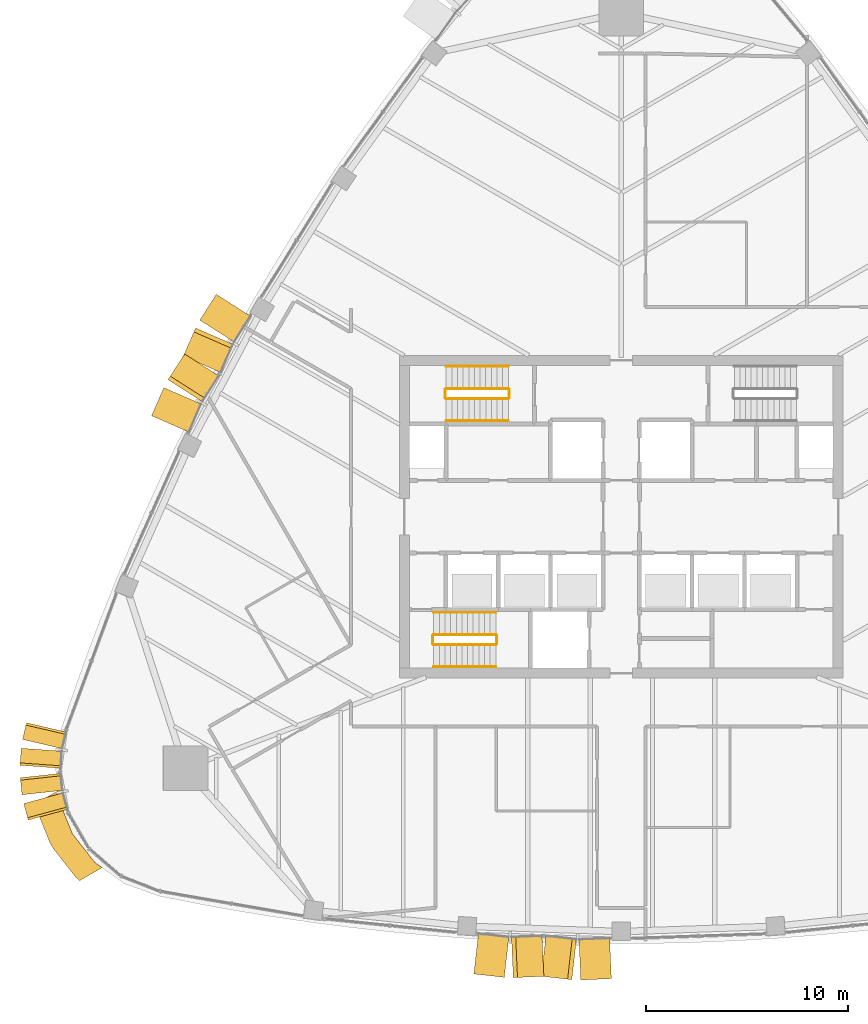
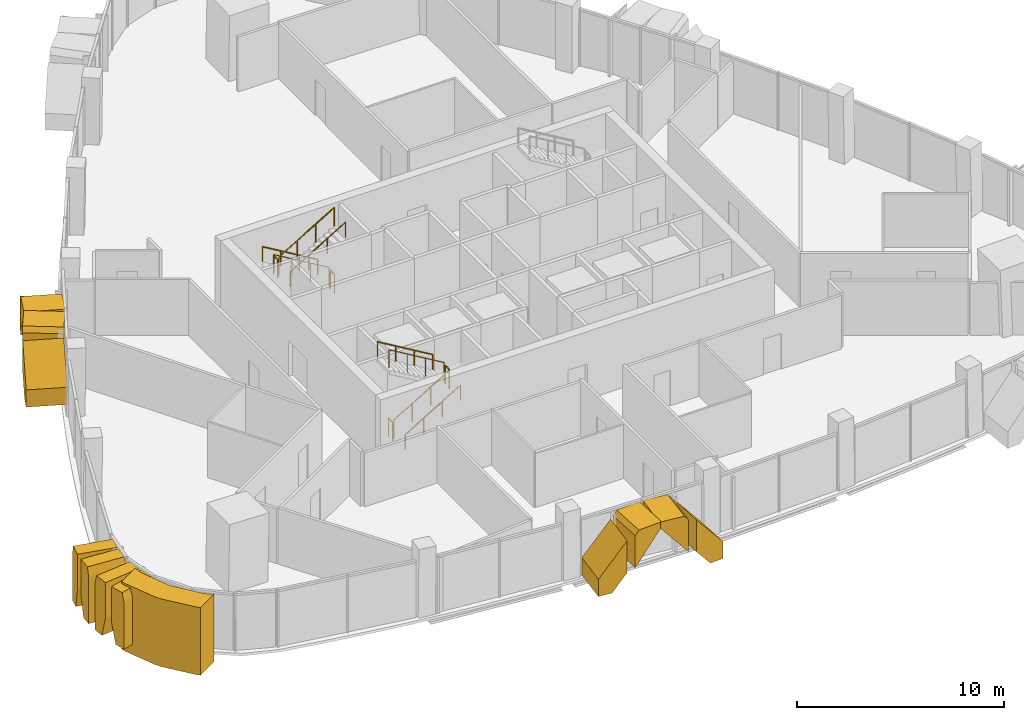
# One storey, part 15 of 18: 13 coverings, 12 railings.
"""IFC4 building model written with IfcOpenShell, lengths in metres."""

from ifc_helpers import new_model, si_unit, direction, frame, origin, origin_2d, place, context, subcontext, project, spatial, polyline, circle, outline, extrude, material, layer, layer_set, type_object, element, save


model = new_model("IFC4")

# Units and contexts
model_context = context("Model", 3, precision=1e-05, world=origin(), true_north=direction((0.0, 1.0)))
body_context = subcontext(model_context, "Body", "Model", "MODEL_VIEW")
ifc_project = project(units=[si_unit("LENGTHUNIT", "METRE"), si_unit("AREAUNIT", "SQUARE_METRE"), si_unit("VOLUMEUNIT", "CUBIC_METRE"), si_unit("PLANEANGLEUNIT", "RADIAN"), si_unit("MASSUNIT", "GRAM", prefix="KILO")], contexts=[model_context])

# Site, building, storey
site_placement = place(None, origin())
site = spatial("IfcSite", under=ifc_project, at=site_placement, CompositionType="ELEMENT")
building_placement = place(site_placement, origin())
building = spatial("IfcBuilding", under=site, at=building_placement, Name="Sierra Prisma Convention Tower", CompositionType="ELEMENT")
storey_placement = place(building_placement, frame((0.0, 0.0, 255.0)))
storey = spatial("IfcBuildingStorey", under=building, at=storey_placement, Name="L57", CompositionType="ELEMENT", Elevation=255.0)

# Coverings
ifc_material_1 = material(Name="Aluminium composite bronze anodised", Category="aluminium")
ifc_layer_1 = layer(ifc_material_1, 1.199951171875)
ifc_layer_set_1 = layer_set([ifc_layer_1], Name="Bronze corner pier")
covering_type_1 = type_object("IfcCoveringType", Name="Bronze corner pier", PredefinedType="CLADDING", material=ifc_layer_set_1)
covering_1_placement = place(storey_placement, frame((0.0, 0.0, -0.60009765625)))
element("IfcCovering", 1, at=covering_1_placement, inside=storey, type_object=covering_type_1, Name="Corner pier SW L57.1", PredefinedType="CLADDING", context=body_context, shape_type="SweptSolid", body=[
    extrude(outline(polyline([(-28.160400390625, -16.4521484375), (-28.328125, -16.16162109375), (-29.003662109375, -14.486328125), (-29.064697265625, -14.240234375), (-27.93701171875, -13.589111328125), (-27.890625, -14.03759765625), (-27.21533203125, -15.712646484375), (-26.102294921875, -17.13525390625), (-25.73681640625, -17.399658203125), (-26.86474609375, -18.05078125), (-27.04736328125, -17.874755859375), (-28.160400390625, -16.4521484375)])), origin(), (0.0, 0.0, 1.0), 4.0),
])
ifc_material_2 = material(Name="Aluminium 6063-T6 bronze anodised", Category="aluminium")
ifc_layer_2 = layer(ifc_material_2, 2.0)
ifc_layer_set_2 = layer_set([ifc_layer_2], Name="Bronze crystal chevron frame")
covering_type_2 = type_object("IfcCoveringType", Name="Bronze crystal chevron frame", PredefinedType="CLADDING", material=ifc_layer_set_2)
covering_2_placement = place(storey_placement, frame((-7.310791015625, -22.66796875, 0.0), z_axis=(-0.112614954956, -0.993638702623, 2.3851168e-05), x_axis=(0.993638702906, -0.112614954988, -2.306e-09)))
element("IfcCovering", 2, at=covering_2_placement, inside=storey, type_object=covering_type_2, Name="CW-2 chevron frame S3.1.1", PredefinedType="CLADDING", context=body_context, shape_type="SweptSolid", body=[
    extrude(outline(polyline([(0.0, 0.0), (0.7169710168899475, 0.0), (1.519919943945576, 0.9763183631581578), (1.5199199395885274, 2.865478518870807), (-2.3468827585304e-09, 1.017578124710561), (0.0, 0.0)])), origin(), (0.0, 0.0, -1.0), 2.0),
])
covering_3_placement = place(storey_placement, frame((-5.357421875, -22.854248046875, 3.023681640625), z_axis=(0.04433438649, -0.999016747251, -2.9773073e-05), x_axis=(-1.319971e-06, 2.9743799e-05, -0.999999999557)))
element("IfcCovering", 3, at=covering_3_placement, inside=storey, type_object=covering_type_2, Name="CW-2 chevron frame S3.1.2", PredefinedType="CLADDING", context=body_context, shape_type="SweptSolid", body=[
    extrude(outline(polyline([(0.0, 0.0), (1.8891601554126904, 0.0), (0.04125976537947717, 1.5200489407549946), (-0.2563476563636179, 1.5200489407549946), (-0.25634765830204714, 0.21089749998710103), (0.0, 0.0)])), origin(), (0.0, 0.0, -1.0), 2.0),
])
covering_4_placement = place(storey_placement, frame((-3.962890625, -22.78271484375, 3.280029296875), z_axis=(-0.112444570849, -0.993657998542, -2.0491706e-05), x_axis=(2.304181e-06, 2.0361747e-05, -0.99999999979)))
element("IfcCovering", 4, at=covering_4_placement, inside=storey, type_object=covering_type_2, Name="CW-2 chevron frame S3.2.1", PredefinedType="CLADDING", context=body_context, shape_type="SweptSolid", body=[
    extrude(outline(polyline([(0.0, 0.0), (0.29760742181251587, 1.260416458377676e-22), (2.1455078121571827, 1.5198924755573109), (0.2563476563038215, 1.5198924755573109), (-9.182455936022485e-10, 1.308842830952451), (0.0, 0.0)])), origin(), (0.0, 0.0, -1.0), 2.0),
])
covering_5_placement = place(storey_placement, frame((-0.490966796875, -22.9013671875, 0.0), z_axis=(0.044367000442, -0.999015298097, 5.864478e-05), x_axis=(-2.601893e-06, 5.8587033e-05, 0.99999999828)))
element("IfcCovering", 5, at=covering_5_placement, inside=storey, type_object=covering_type_2, Name="CW-2 chevron frame S3.2.2", PredefinedType="CLADDING", context=body_context, shape_type="SweptSolid", body=[
    extrude(outline(polyline([(0.0, 0.0), (1.0175781232501675, 0.0), (2.8654785140552725, 1.52004893969582), (0.976318361053882, 1.52004893969582), (-9.996884094873655e-09, 0.7170222086733208), (0.0, 0.0)])), origin(), (0.0, 0.0, -1.0), 2.0),
])
covering_6_placement = place(storey_placement, frame((-20.078857421875, 11.025390625, 0.0), z_axis=(-0.843051218652, 0.537833285246, 3.401081e-06), x_axis=(-0.537833285249, -0.843051218657, -4.7e-11)))
element("IfcCovering", 6, at=covering_6_placement, inside=storey, type_object=covering_type_2, Name="CW-2 chevron frame NW4.1.1", PredefinedType="CLADDING", context=body_context, shape_type="SweptSolid", body=[
    extrude(outline(polyline([(0.0, 0.0), (0.7167457332966538, 0.0), (1.519775057210827, 0.9763183594519409), (1.5197750571222046, 2.8654785156910147), (-4.773561108609133e-11, 1.0175781249941147), (0.0, 0.0)])), origin(), (0.0, 0.0, -1.0), 2.0),
])
covering_7_placement = place(storey_placement, frame((-21.104736328125, 9.352783203125, 3.023681640625), z_axis=(-0.916760330561, 0.399437725129, 7.231364e-06), x_axis=(-6.629428e-06, 2.88848e-06, -0.999999999974)))
element("IfcCovering", 7, at=covering_7_placement, inside=storey, type_object=covering_type_2, Name="CW-2 chevron frame NW4.1.2", PredefinedType="CLADDING", context=body_context, shape_type="SweptSolid", body=[
    extrude(outline(polyline([(0.0, 0.0), (1.8891601562006055, 8.00090447491916e-22), (0.04125976561051612, 1.5200853489756896), (-0.2563476562567026, 1.5200853489756896), (-0.2563476563710544, 0.21090825121994786), (0.0, 0.0)])), origin(), (0.0, 0.0, -1.0), 2.0),
])
covering_8_placement = place(storey_placement, frame((-21.653564453125, 8.06884765625, 3.280029296875), z_axis=(-0.843049035578, 0.537836705926, -3.7011033e-05), x_axis=(3.1202116e-05, -1.9905892e-05, -0.999999999315)))
element("IfcCovering", 8, at=covering_8_placement, inside=storey, type_object=covering_type_2, Name="CW-2 chevron frame NW4.2.1", PredefinedType="CLADDING", context=body_context, shape_type="SweptSolid", body=[
    extrude(outline(polyline([(0.0, 0.0), (0.2976074216711662, -1.0083331667021407e-21), (2.1455078113816732, 1.5197750572306397), (0.25634765642557467, 1.5197750572306397), (-2.9954704306634123e-09, 1.3090094493103113), (0.0, 0.0)])), origin(), (0.0, 0.0, -1.0), 2.0),
])
covering_9_placement = place(storey_placement, frame((-23.28662109375, 5.002685546875, 0.0), z_axis=(-0.916759383654, 0.399439898422, -5.589659e-06), x_axis=(-5.124372e-06, 2.232733e-06, 0.999999999984)))
element("IfcCovering", 9, at=covering_9_placement, inside=storey, type_object=covering_type_2, Name="CW-2 chevron frame NW4.2.2", PredefinedType="CLADDING", context=body_context, shape_type="SweptSolid", body=[
    extrude(outline(polyline([(0.0, 0.0), (1.0175781249841034, 4.309610991401274e-22), (2.86547851561074, 1.520085348967024), (0.9763183593902522, 1.520085348967024), (-9.081895206794324e-11, 0.7169089994362869), (0.0, 0.0)])), origin(), (0.0, 0.0, -1.0), 2.0),
])
covering_10_placement = place(storey_placement, frame((-29.49072265625, -10.21630859375, 0.0), z_axis=(-0.974060893601, 0.22628604358, 4.5146241e-05), x_axis=(-0.226286043811, -0.974060894594, -6.511e-09)))
element("IfcCovering", 10, at=covering_10_placement, inside=storey, type_object=covering_type_2, Name="CW-2 chevron frame SW1.1.1", PredefinedType="CLADDING", context=body_context, shape_type="SweptSolid", body=[
    extrude(outline(polyline([(0.0, 0.0), (0.5574466099185348, 0.0), (0.8481647621760093, 1.1948242245994363), (0.8481647485982952, 3.2800293005994217), (0.12051781095731133, 3.2800293022841265), (-1.8130643864959725e-08, 2.784423825287417), (0.0, 0.0)])), origin(), (0.0, 0.0, -1.0), 2.0),
])
covering_11_placement = place(storey_placement, frame((-29.7490234375, -11.48095703125, 3.280029296875), z_axis=(-0.997449946818, 0.071369478701, 3.3207256e-05), x_axis=(-3.3122576e-05, 2.369985e-06, -0.999999999449)))
element("IfcCovering", 11, at=covering_11_placement, inside=storey, type_object=covering_type_2, Name="CW-2 chevron frame SW1.1.2", PredefinedType="CLADDING", context=body_context, shape_type="SweptSolid", body=[
    extrude(outline(polyline([(0.0, 0.0), (2.0852050769752997, 8.831187014769262e-22), (3.2800292956151718, 0.2905369856490941), (3.2800292956530233, 0.8481112544818266), (0.4956054690632455, 0.8481112544818266), (-5.854006762176805e-09, 0.7276731013227237), (0.0, 0.0)])), origin(), (0.0, 0.0, -1.0), 2.0),
])
covering_12_placement = place(storey_placement, frame((-29.798095703125, -12.943359375, 0.0), z_axis=(-0.994153805267, -0.107973192556, -3.4106306e-05), x_axis=(0.107973192619, -0.994153805845, -6.824e-09)))
element("IfcCovering", 12, at=covering_12_placement, inside=storey, type_object=covering_type_2, Name="CW-2 chevron frame SW2.1.1", PredefinedType="CLADDING", context=body_context, shape_type="SweptSolid", body=[
    extrude(outline(polyline([(0.0, 0.0), (0.5574703412706404, -4.235164736271502e-22), (0.848217079888872, 1.1948242249399246), (0.8482170656600636, 3.280029301852127), (0.12056933745171375, 3.2800292984935706), (-1.9000065609629798e-08, 2.784423826505523), (0.0, 0.0)])), origin(), (0.0, 0.0, -1.0), 2.0),
])
covering_13_placement = place(storey_placement, frame((-29.6240234375, -14.22216796875, 3.280029296875), z_axis=(-0.965007353427, -0.262222819221, 3.019811e-05), x_axis=(-2.9141398e-05, -7.918633e-06, -0.999999999544)))
element("IfcCovering", 13, at=covering_13_placement, inside=storey, type_object=covering_type_2, Name="CW-2 chevron frame SW2.1.2", PredefinedType="CLADDING", context=body_context, shape_type="SweptSolid", body=[
    extrude(outline(polyline([(0.0, 0.0), (2.0852050771742237, 0.0), (3.2800292988736492, 0.2909111270950014), (3.2800292962008366, 0.8482799428551704), (0.4956054693454306, 0.8482799428551704), (-1.627125781463434e-09, 0.7278770512205146), (0.0, 0.0)])), origin(), (0.0, 0.0, -1.0), 2.0),
])

# Railings
ifc_material_3 = material(Name="Stainless steel", Category="steel")
railing_type_1 = type_object("IfcRailingType", Name="Exit stair handrail", PredefinedType="HANDRAIL", material=ifc_material_3)
railing_1_placement = place(storey_placement, frame((-9.300048828125, -7.449951171875, 0.166748046875)))
element("IfcRailing", 14, at=railing_1_placement, inside=storey, type_object=railing_type_1, Name="L57 S1 stair handrail 1", PredefinedType="HANDRAIL", context=body_context, shape_type="SweptSolid", body=[
    extrude(circle(Radius=0.02392578125, at=origin_2d()), frame((0.0, 0.0, 0.8759765625), z_axis=(0.859308565015, 0.0, 0.511457515432), x_axis=(0.0, 1.0, 0.0)), (0.0, 0.0, 1.0), 3.58447265625),
    extrude(circle(Radius=0.02099609375, at=origin_2d()), origin(), (0.0, 0.0, 1.0), 0.851806640625),
    extrude(circle(Radius=0.02099609375, at=origin_2d()), frame((1.026611328125, 0.0, 0.611083984375)), (0.0, 0.0, 1.0), 0.851806640625),
    extrude(circle(Radius=0.02099609375, at=origin_2d()), frame((2.053466796875, 0.0, 1.22216796875)), (0.0, 0.0, 1.0), 0.851806640625),
    extrude(circle(Radius=0.02099609375, at=origin_2d()), frame((3.080078125, 0.0, 1.833251953125)), (0.0, 0.0, 1.0), 0.851806640625),
])
railing_2_placement = place(storey_placement, frame((-6.219970703125, -4.75, 2.166748046875)))
element("IfcRailing", 15, at=railing_2_placement, inside=storey, type_object=railing_type_1, Name="L57 S1 stair handrail 2", PredefinedType="HANDRAIL", context=body_context, shape_type="SweptSolid", body=[
    extrude(circle(Radius=0.02392578125, at=origin_2d()), frame((0.0, 0.0, 0.8759765625), z_axis=(-0.859308565015, 0.0, 0.511457515432), x_axis=(0.0, -1.0, 0.0)), (0.0, 0.0, 1.0), 3.58447265625),
    extrude(circle(Radius=0.02099609375, at=origin_2d()), origin(), (0.0, 0.0, 1.0), 0.851806640625),
    extrude(circle(Radius=0.02099609375, at=origin_2d()), frame((-1.026611328125, 0.0, 0.611083984375)), (0.0, 0.0, 1.0), 0.851806640625),
    extrude(circle(Radius=0.02099609375, at=origin_2d()), frame((-2.053466796875, 0.0, 1.22216796875)), (0.0, 0.0, 1.0), 0.851806640625),
    extrude(circle(Radius=0.02099609375, at=origin_2d()), frame((-3.080078125, 0.0, 1.833251953125)), (0.0, 0.0, 1.0), 0.851806640625),
])
railing_3_placement = place(storey_placement, frame((-5.60009765625, 7.449951171875, 0.166748046875)))
element("IfcRailing", 16, at=railing_3_placement, inside=storey, type_object=railing_type_1, Name="L57 S3 stair handrail 1", PredefinedType="HANDRAIL", context=body_context, shape_type="SweptSolid", body=[
    extrude(circle(Radius=0.02392578125, at=origin_2d()), frame((0.0, 0.0, 0.8759765625), z_axis=(-0.859290745958, 0.0, 0.51148745235), x_axis=(0.0, -1.0, 0.0)), (0.0, 0.0, 1.0), 3.584228515625),
    extrude(circle(Radius=0.02099609375, at=origin_2d()), origin(), (0.0, 0.0, 1.0), 0.851806640625),
    extrude(circle(Radius=0.02099609375, at=origin_2d()), frame((-1.026611328125, 0.0, 0.611083984375)), (0.0, 0.0, 1.0), 0.851806640625),
    extrude(circle(Radius=0.02099609375, at=origin_2d()), frame((-2.05322265625, 0.0, 1.22216796875)), (0.0, 0.0, 1.0), 0.851806640625),
    extrude(circle(Radius=0.02099609375, at=origin_2d()), frame((-3.079833984375, 0.0, 1.833251953125)), (0.0, 0.0, 1.0), 0.851806640625),
])
railing_4_placement = place(storey_placement, frame((-8.679931640625, 4.75, 2.166748046875)))
element("IfcRailing", 17, at=railing_4_placement, inside=storey, type_object=railing_type_1, Name="L57 S3 stair handrail 2", PredefinedType="HANDRAIL", context=body_context, shape_type="SweptSolid", body=[
    extrude(circle(Radius=0.02392578125, at=origin_2d()), frame((0.0, 0.0, 0.8759765625), z_axis=(0.859290745958, 0.0, 0.51148745235), x_axis=(0.0, 1.0, 0.0)), (0.0, 0.0, 1.0), 3.584228515625),
    extrude(circle(Radius=0.02099609375, at=origin_2d()), origin(), (0.0, 0.0, 1.0), 0.851806640625),
    extrude(circle(Radius=0.02099609375, at=origin_2d()), frame((1.026611328125, 0.0, 0.611083984375)), (0.0, 0.0, 1.0), 0.851806640625),
    extrude(circle(Radius=0.02099609375, at=origin_2d()), frame((2.05322265625, 0.0, 1.22216796875)), (0.0, 0.0, 1.0), 0.851806640625),
    extrude(circle(Radius=0.02099609375, at=origin_2d()), frame((3.079833984375, 0.0, 1.833251953125)), (0.0, 0.0, 1.0), 0.851806640625),
])
ifc_material_4 = material(Name="Stainless steel", Category="steel")
railing_type_2 = type_object("IfcRailingType", Name="Stair guard 1100", PredefinedType="GUARDRAIL", material=ifc_material_4)
railing_5_placement = place(storey_placement, frame((-9.300048828125, -6.35009765625, 0.166748046875)))
element("IfcRailing", 18, at=railing_5_placement, inside=storey, type_object=railing_type_2, Name="L57 S1 stair guard 1", PredefinedType="GUARDRAIL", context=body_context, shape_type="SweptSolid", body=[
    extrude(circle(Radius=0.02392578125, at=origin_2d()), frame((0.0, 0.0, 1.076171875), z_axis=(0.859308565015, 0.0, 0.511457515432), x_axis=(0.0, 1.0, 0.0)), (0.0, 0.0, 1.0), 3.58447265625),
    extrude(circle(Radius=0.02099609375, at=origin_2d()), origin(), (0.0, 0.0, 1.0), 1.052001953125),
    extrude(circle(Radius=0.02099609375, at=origin_2d()), frame((1.026611328125, 0.0, 0.611083984375)), (0.0, 0.0, 1.0), 1.052001953125),
    extrude(circle(Radius=0.02099609375, at=origin_2d()), frame((2.053466796875, 0.0, 1.22216796875)), (0.0, 0.0, 1.0), 1.052001953125),
    extrude(circle(Radius=0.02099609375, at=origin_2d()), frame((3.080078125, 0.0, 1.833251953125)), (0.0, 0.0, 1.0), 1.052001953125),
])
railing_6_placement = place(storey_placement, frame((-6.169921875, -6.300048828125, 2.0)))
element("IfcRailing", 19, at=railing_6_placement, inside=storey, type_object=railing_type_2, Name="L57 S1 stair guard 2", PredefinedType="GUARDRAIL", context=body_context, shape_type="SweptSolid", body=[
    extrude(circle(Radius=0.02392578125, at=origin_2d()), frame((0.0, 0.0, 1.076171875), z_axis=(0.0, 1.0, 0.0), x_axis=(-1.0, 0.0, 0.0)), (0.0, 0.0, 1.0), 0.400146484375),
    extrude(circle(Radius=0.02099609375, at=origin_2d()), origin(), (0.0, 0.0, 1.0), 1.052001953125),
    extrude(circle(Radius=0.02099609375, at=origin_2d()), frame((0.0, 0.400146484375, 0.0)), (0.0, 0.0, 1.0), 1.052001953125),
])
railing_7_placement = place(storey_placement, frame((-6.219970703125, -5.85009765625, 2.166748046875)))
element("IfcRailing", 20, at=railing_7_placement, inside=storey, type_object=railing_type_2, Name="L57 S1 stair guard 3", PredefinedType="GUARDRAIL", context=body_context, shape_type="SweptSolid", body=[
    extrude(circle(Radius=0.02392578125, at=origin_2d()), frame((0.0, 0.0, 1.076171875), z_axis=(-0.859308565015, 0.0, 0.511457515432), x_axis=(0.0, -1.0, 0.0)), (0.0, 0.0, 1.0), 3.58447265625),
    extrude(circle(Radius=0.02099609375, at=origin_2d()), origin(), (0.0, 0.0, 1.0), 1.052001953125),
    extrude(circle(Radius=0.02099609375, at=origin_2d()), frame((-1.026611328125, 0.0, 0.611083984375)), (0.0, 0.0, 1.0), 1.052001953125),
    extrude(circle(Radius=0.02099609375, at=origin_2d()), frame((-2.053466796875, 0.0, 1.22216796875)), (0.0, 0.0, 1.0), 1.052001953125),
    extrude(circle(Radius=0.02099609375, at=origin_2d()), frame((-3.080078125, 0.0, 1.833251953125)), (0.0, 0.0, 1.0), 1.052001953125),
])
railing_8_placement = place(storey_placement, frame((-9.35009765625, -6.300048828125, 0.0)))
element("IfcRailing", 21, at=railing_8_placement, inside=storey, type_object=railing_type_2, Name="L57 S1 stair guard 4", PredefinedType="GUARDRAIL", context=body_context, shape_type="SweptSolid", body=[
    extrude(circle(Radius=0.02392578125, at=origin_2d()), frame((0.0, 0.0, 1.076171875), z_axis=(0.0, 1.0, 0.0), x_axis=(-1.0, 0.0, 0.0)), (0.0, 0.0, 1.0), 0.400146484375),
    extrude(circle(Radius=0.02099609375, at=origin_2d()), origin(), (0.0, 0.0, 1.0), 1.052001953125),
    extrude(circle(Radius=0.02099609375, at=origin_2d()), frame((0.0, 0.400146484375, 0.0)), (0.0, 0.0, 1.0), 1.052001953125),
])
railing_9_placement = place(storey_placement, frame((-5.60009765625, 6.35009765625, 0.166748046875)))
element("IfcRailing", 22, at=railing_9_placement, inside=storey, type_object=railing_type_2, Name="L57 S3 stair guard 1", PredefinedType="GUARDRAIL", context=body_context, shape_type="SweptSolid", body=[
    extrude(circle(Radius=0.02392578125, at=origin_2d()), frame((0.0, 0.0, 1.076171875), z_axis=(-0.859290745958, 0.0, 0.51148745235), x_axis=(0.0, -1.0, 0.0)), (0.0, 0.0, 1.0), 3.584228515625),
    extrude(circle(Radius=0.02099609375, at=origin_2d()), origin(), (0.0, 0.0, 1.0), 1.052001953125),
    extrude(circle(Radius=0.02099609375, at=origin_2d()), frame((-1.026611328125, 0.0, 0.611083984375)), (0.0, 0.0, 1.0), 1.052001953125),
    extrude(circle(Radius=0.02099609375, at=origin_2d()), frame((-2.05322265625, 0.0, 1.22216796875)), (0.0, 0.0, 1.0), 1.052001953125),
    extrude(circle(Radius=0.02099609375, at=origin_2d()), frame((-3.079833984375, 0.0, 1.833251953125)), (0.0, 0.0, 1.0), 1.052001953125),
])
railing_10_placement = place(storey_placement, frame((-8.72998046875, 6.300048828125, 2.0)))
element("IfcRailing", 23, at=railing_10_placement, inside=storey, type_object=railing_type_2, Name="L57 S3 stair guard 2", PredefinedType="GUARDRAIL", context=body_context, shape_type="SweptSolid", body=[
    extrude(circle(Radius=0.02392578125, at=origin_2d()), frame((0.0, 0.0, 1.076171875), z_axis=(0.0, -1.0, 0.0), x_axis=(1.0, 0.0, 0.0)), (0.0, 0.0, 1.0), 0.400146484375),
    extrude(circle(Radius=0.02099609375, at=origin_2d()), origin(), (0.0, 0.0, 1.0), 1.052001953125),
    extrude(circle(Radius=0.02099609375, at=origin_2d()), frame((0.0, -0.400146484375, 0.0)), (0.0, 0.0, 1.0), 1.052001953125),
])
railing_11_placement = place(storey_placement, frame((-8.679931640625, 5.85009765625, 2.166748046875)))
element("IfcRailing", 24, at=railing_11_placement, inside=storey, type_object=railing_type_2, Name="L57 S3 stair guard 3", PredefinedType="GUARDRAIL", context=body_context, shape_type="SweptSolid", body=[
    extrude(circle(Radius=0.02392578125, at=origin_2d()), frame((0.0, 0.0, 1.076171875), z_axis=(0.859290745958, 0.0, 0.51148745235), x_axis=(0.0, 1.0, 0.0)), (0.0, 0.0, 1.0), 3.584228515625),
    extrude(circle(Radius=0.02099609375, at=origin_2d()), origin(), (0.0, 0.0, 1.0), 1.052001953125),
    extrude(circle(Radius=0.02099609375, at=origin_2d()), frame((1.026611328125, 0.0, 0.611083984375)), (0.0, 0.0, 1.0), 1.052001953125),
    extrude(circle(Radius=0.02099609375, at=origin_2d()), frame((2.05322265625, 0.0, 1.22216796875)), (0.0, 0.0, 1.0), 1.052001953125),
    extrude(circle(Radius=0.02099609375, at=origin_2d()), frame((3.079833984375, 0.0, 1.833251953125)), (0.0, 0.0, 1.0), 1.052001953125),
])
railing_12_placement = place(storey_placement, frame((-5.550048828125, 6.300048828125, 0.0)))
element("IfcRailing", 25, at=railing_12_placement, inside=storey, type_object=railing_type_2, Name="L57 S3 stair guard 4", PredefinedType="GUARDRAIL", context=body_context, shape_type="SweptSolid", body=[
    extrude(circle(Radius=0.02392578125, at=origin_2d()), frame((0.0, 0.0, 1.076171875), z_axis=(0.0, -1.0, 0.0), x_axis=(1.0, 0.0, 0.0)), (0.0, 0.0, 1.0), 0.400146484375),
    extrude(circle(Radius=0.02099609375, at=origin_2d()), origin(), (0.0, 0.0, 1.0), 1.052001953125),
    extrude(circle(Radius=0.02099609375, at=origin_2d()), frame((0.0, -0.400146484375, 0.0)), (0.0, 0.0, 1.0), 1.052001953125),
])

save(model, "model.ifc")
